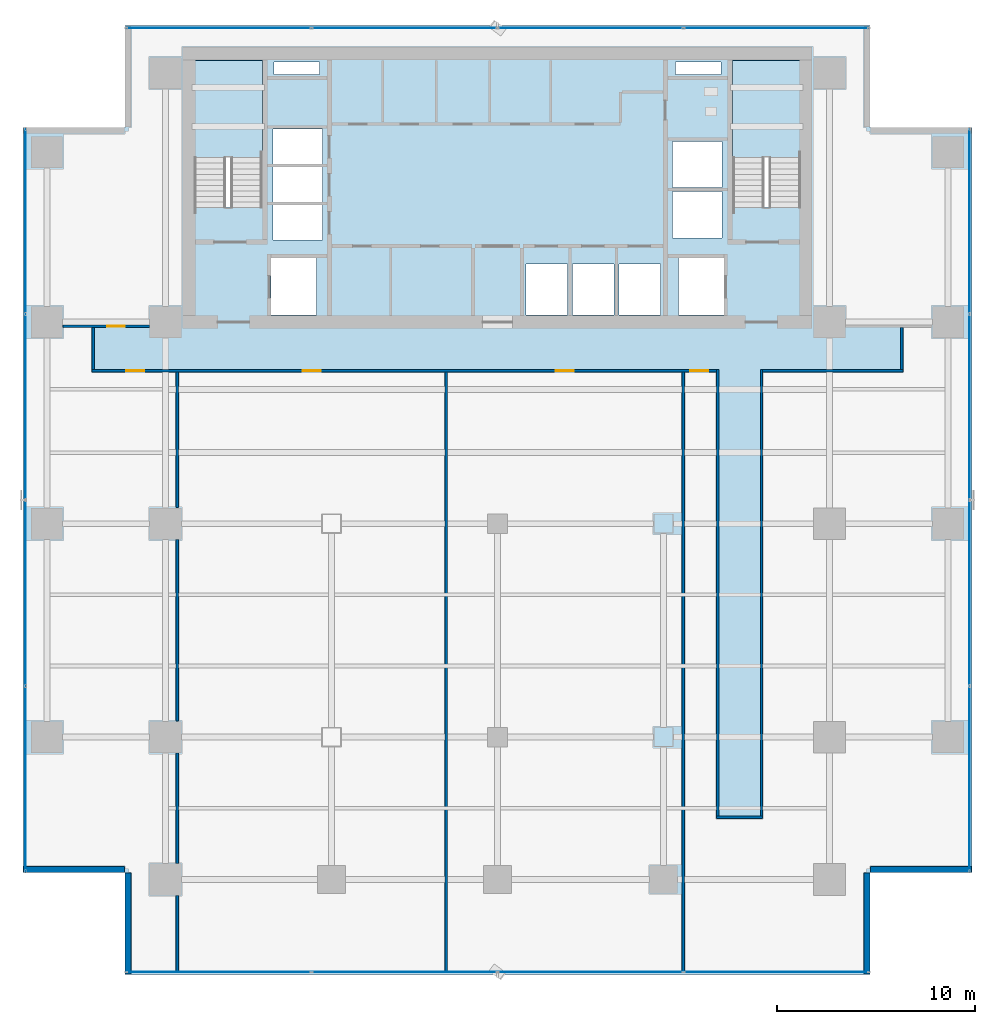
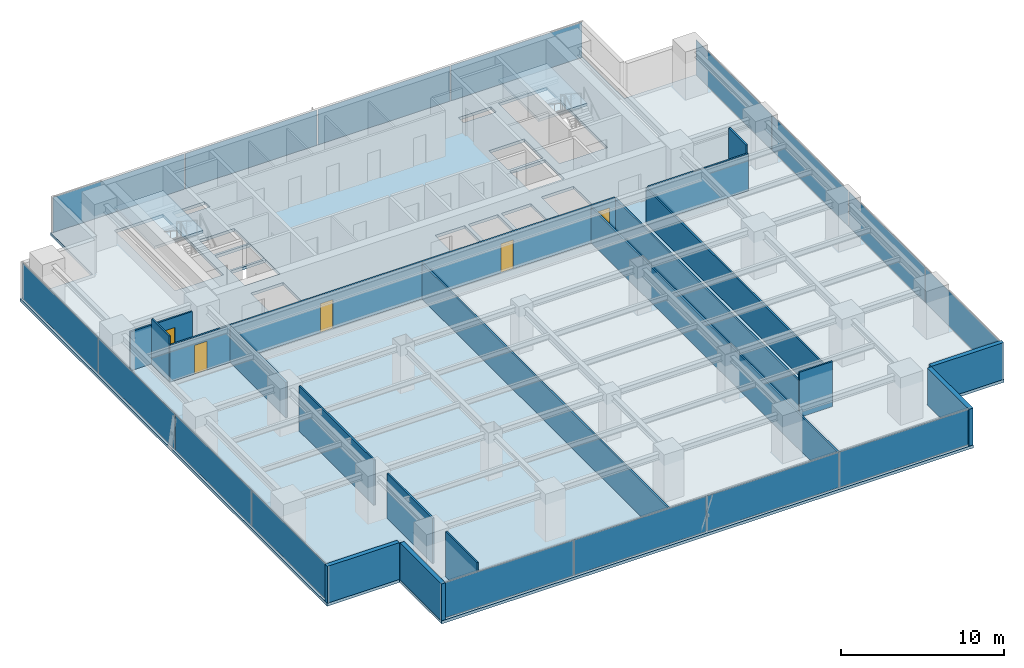
# One storey, part 20 of 27: 18 walls, 16 plates, 5 doors, 3 slabs, 5 openings, 6 elements without a shape of their own.
"""IFC4 building model written with IfcOpenShell, lengths in metres."""

from ifc_helpers import new_model, si_unit, direction, frame, frame_2d, origin, origin_2d, place, context, subcontext, project, spatial, polyline, rectangle, outline, extrude, source, transform, mapped, material, layer, layer_set, type_object, element, fill, aggregate, save


model = new_model("IFC4")

# Units and contexts
model_context = context("Model", 3, precision=1e-05, world=origin(), true_north=direction((0.0, 1.0)))
body_context = subcontext(model_context, "Body", "Model", "MODEL_VIEW")
ifc_project = project(units=[si_unit("LENGTHUNIT", "METRE"), si_unit("AREAUNIT", "SQUARE_METRE"), si_unit("VOLUMEUNIT", "CUBIC_METRE"), si_unit("PLANEANGLEUNIT", "RADIAN"), si_unit("MASSUNIT", "GRAM", prefix="KILO")], contexts=[model_context])

# Site, building, storey
site_placement = place(None, origin())
site = spatial("IfcSite", under=ifc_project, at=site_placement, CompositionType="ELEMENT")
building_placement = place(site_placement, origin())
building = spatial("IfcBuilding", under=site, at=building_placement, Name="Sumidabori Civic Tower", CompositionType="ELEMENT")
storey_placement = place(building_placement, frame((0.0, 0.0, 142.39990234375)))
storey = spatial("IfcBuildingStorey", under=building, at=storey_placement, Name="L36", CompositionType="ELEMENT", Elevation=142.39990234375)

# Stair, slab
ifc_material_1 = material(Name="Concrete C40/50", Category="concrete")
stair_type = type_object("IfcStairType", Name="ST-CORE-1600", PredefinedType="HALF_TURN_STAIR", material=ifc_material_1)
stair_1_placement = place(storey_placement, origin())
stair_1 = element("IfcStair", 1, at=stair_1_placement, inside=storey, type_object=stair_type, Name="L36 ST-1", PredefinedType="HALF_TURN_STAIR")
ifc_layer_1 = layer(ifc_material_1, 0.199951171875, Name="Concrete C40/50")
ifc_layer_set_1 = layer_set([ifc_layer_1], Name="Concrete C40/50")
slab_type_1 = type_object("IfcSlabType", Name="SL-LAND-200", PredefinedType="LANDING", material=ifc_layer_set_1)
slab_1_placement = place(storey_placement, frame((0.0, 0.0, 1.60009765625)))
slab_1 = element("IfcSlab", 2, at=slab_1_placement, type_object=slab_type_1, Name="ST-1 landing 1", PredefinedType="LANDING", context=body_context, shape_type="SweptSolid", body=[
    extrude(outline(polyline([(-11.89990234375, 18.52001953125), (-11.89990234375, 23.449951171875), (-15.340087890625, 23.449951171875), (-15.340087890625, 18.52001953125), (-11.89990234375, 18.52001953125)])), origin(), (0.0, 0.0, 1.0), 0.199951171875),
])
aggregate(stair_1, [slab_1])

stair_2_placement = place(storey_placement, origin())
stair_2 = element("IfcStair", 3, at=stair_2_placement, inside=storey, type_object=stair_type, Name="L36 ST-2", PredefinedType="HALF_TURN_STAIR")
slab_2_placement = place(storey_placement, frame((0.0, 0.0, 1.60009765625)))
slab_2 = element("IfcSlab", 4, at=slab_2_placement, type_object=slab_type_1, Name="ST-2 landing 1", PredefinedType="LANDING", context=body_context, shape_type="SweptSolid", body=[
    extrude(outline(polyline([(15.340087890625, 18.52001953125), (15.340087890625, 23.449951171875), (11.89990234375, 23.449951171875), (11.89990234375, 18.52001953125), (15.340087890625, 18.52001953125)])), origin(), (0.0, 0.0, 1.0), 0.199951171875),
])
aggregate(stair_2, [slab_2])

# Slab
ifc_layer_2 = layer(ifc_material_1, 0.219970703125, Name="Concrete C40/50")
ifc_layer_set_2 = layer_set([ifc_layer_2], Name="Concrete C40/50")
slab_type_2 = type_object("IfcSlabType", Name="SL-Z3-220", PredefinedType="FLOOR", material=ifc_layer_set_2)
slab_3_placement = place(storey_placement, frame((0.0, 0.0, -0.219970703125)))
element("IfcSlab", 5, at=slab_3_placement, inside=storey, type_object=slab_type_2, Name="Structural Slab L36", PredefinedType="FLOOR", context=body_context, shape_type="SweptSolid", body=[
    extrude(outline(polyline([(-18.85009765625, -22.800048828125), (18.85009765625, -22.800048828125), (18.85009765625, -17.64990234375), (24.0, -17.64990234375), (24.0, 20.050048828125), (18.85009765625, 20.050048828125), (18.85009765625, 25.199951171875), (-18.85009765625, 25.199951171875), (-18.85009765625, 20.050048828125), (-24.0, 20.050048828125), (-24.0, -17.64990234375), (-18.85009765625, -17.64990234375), (-18.85009765625, -22.800048828125)]), holes=[polyline([(-11.89990234375, 16.0), (-11.89990234375, 23.449951171875), (-15.340087890625, 23.449951171875), (-15.340087890625, 16.0), (-11.89990234375, 16.0)]), polyline([(15.340087890625, 16.0), (15.340087890625, 23.449951171875), (11.89990234375, 23.449951171875), (11.89990234375, 16.0), (15.340087890625, 16.0)]), polyline([(-11.449951171875, 10.550048828125), (-9.14990234375, 10.550048828125), (-9.14990234375, 13.449951171875), (-11.449951171875, 13.449951171875), (-11.449951171875, 10.550048828125)]), polyline([(9.14990234375, 10.550048828125), (11.449951171875, 10.550048828125), (11.449951171875, 13.449951171875), (9.14990234375, 13.449951171875), (9.14990234375, 10.550048828125)]), polyline([(1.449951171875, 10.550048828125), (3.550048828125, 10.550048828125), (3.550048828125, 13.14990234375), (1.449951171875, 13.14990234375), (1.449951171875, 10.550048828125)]), polyline([(3.800048828125, 10.550048828125), (5.89990234375, 10.550048828125), (5.89990234375, 13.14990234375), (3.800048828125, 13.14990234375), (3.800048828125, 10.550048828125)]), polyline([(6.14990234375, 10.550048828125), (8.25, 10.550048828125), (8.25, 13.14990234375), (6.14990234375, 13.14990234375), (6.14990234375, 10.550048828125)]), polyline([(-11.35009765625, 14.35009765625), (-8.85009765625, 14.35009765625), (-8.85009765625, 16.1201171875), (-11.35009765625, 16.1201171875), (-11.35009765625, 14.35009765625)]), polyline([(-11.35009765625, 16.27001953125), (-8.85009765625, 16.27001953125), (-8.85009765625, 18.0400390625), (-11.35009765625, 18.0400390625), (-11.35009765625, 16.27001953125)]), polyline([(-11.35009765625, 18.18994140625), (-8.85009765625, 18.18994140625), (-8.85009765625, 19.9599609375), (-11.35009765625, 19.9599609375), (-11.35009765625, 18.18994140625)]), polyline([(8.85009765625, 14.449951171875), (11.35009765625, 14.449951171875), (11.35009765625, 16.800048828125), (8.85009765625, 16.800048828125), (8.85009765625, 14.449951171875)]), polyline([(8.85009765625, 17.0), (11.35009765625, 17.0), (11.35009765625, 19.35009765625), (8.85009765625, 19.35009765625), (8.85009765625, 17.0)]), polyline([(-11.300048828125, 22.719970703125), (-9.0, 22.719970703125), (-9.0, 23.35009765625), (-11.300048828125, 23.35009765625), (-11.300048828125, 22.719970703125)]), polyline([(9.0, 22.719970703125), (11.300048828125, 22.719970703125), (11.300048828125, 23.35009765625), (9.0, 23.35009765625), (9.0, 22.719970703125)])]), origin(), (0.0, 0.0, 1.0), 0.219970703125),
])

# Curtain wall, plates
ifc_material_2 = material(Name="Anodised Bronze Aluminium AW-6063-T6", Category="aluminium")
ifc_layer_3 = layer(ifc_material_2, 0.179931640625, Name="Anodised Bronze Aluminium AW-6063-T6")
ifc_layer_set_3 = layer_set([ifc_layer_3], Name="Anodised Bronze Aluminium AW-6063-T6")
curtain_wall_type = type_object("IfcCurtainWallType", Name="CW-SYS-3", PredefinedType="NOTDEFINED", material=ifc_layer_set_3)
curtain_wall_1_placement = place(storey_placement, origin())
curtain_wall_1 = element("IfcCurtainWall", 6, at=curtain_wall_1_placement, inside=storey, type_object=curtain_wall_type, Name="Curtain Wall CW:L36:R01", PredefinedType="NOTDEFINED")
ifc_material_3 = material(Name="Low-E Solar-Control Vision Glazing", Category="glass")
ifc_layer_4 = layer(ifc_material_3, 0.028076171875, Name="Low-E Solar-Control Vision Glazing")
ifc_layer_set_4 = layer_set([ifc_layer_4], Name="Low-E Solar-Control Vision Glazing")
plate_type = type_object("IfcPlateType", Name="CW-PNL-28", PredefinedType="CURTAIN_PANEL", material=ifc_layer_set_4)
shared_shape_1 = source(origin(), body_context, "Body", "SweptSolid", [
    extrude(rectangle(XDim=9.3125, YDim=0.028076171875, at=origin_2d()), origin(), (0.0, 0.0, 1.0), 2.639892578125),
])
plate_1_placement = place(storey_placement, frame((-14.0986328125, -22.679931640625, 0.06005859375), z_axis=(0.0, 0.0, 1.0), x_axis=(1.0, 0.0, 0.0)))
plate_1 = element("IfcPlate", 7, at=plate_1_placement, type_object=plate_type, Name="CW-3 panel 1.1", PredefinedType="CURTAIN_PANEL", context=body_context, shape_type="MappedRepresentation", body=[
    mapped(shared_shape_1, transform((0.0, 0.0, 0.0), x_axis=(1.0, 0.0, 0.0), y_axis=(0.0, 1.0, 0.0), z_axis=(0.0, 0.0, 1.0), scale=1.0)),
])
plate_2_placement = place(storey_placement, frame((14.0986328125, -22.679931640625, 0.06005859375), z_axis=(0.0, 0.0, 1.0), x_axis=(1.0, 0.0, 0.0)))
plate_2 = element("IfcPlate", 8, at=plate_2_placement, type_object=plate_type, Name="CW-3 panel 4.1", PredefinedType="CURTAIN_PANEL", context=body_context, shape_type="MappedRepresentation", body=[
    mapped(shared_shape_1, transform((0.0, 0.0, 0.0), x_axis=(1.0, 0.0, 0.0), y_axis=(0.0, 1.0, 0.0), z_axis=(0.0, 0.0, 1.0), scale=1.0)),
])

curtain_wall_2_placement = place(storey_placement, origin())
curtain_wall_2 = element("IfcCurtainWall", 9, at=curtain_wall_2_placement, inside=storey, type_object=curtain_wall_type, Name="Curtain Wall CW:L36:R04", PredefinedType="NOTDEFINED")
plate_3_placement = place(storey_placement, frame((23.8798828125, -12.898681640625, 0.06005859375), z_axis=(0.0, 0.0, 1.0), x_axis=(0.0, 1.0, 0.0)))
plate_3 = element("IfcPlate", 10, at=plate_3_placement, type_object=plate_type, Name="CW-3 panel 1.1", PredefinedType="CURTAIN_PANEL", context=body_context, shape_type="MappedRepresentation", body=[
    mapped(shared_shape_1, transform((0.0, 0.0, 0.0), x_axis=(1.0, 0.0, 0.0), y_axis=(0.0, 1.0, 0.0), z_axis=(0.0, 0.0, 1.0), scale=1.0)),
])
plate_4_placement = place(storey_placement, frame((23.8798828125, 15.298828125, 0.06005859375), z_axis=(0.0, 0.0, 1.0), x_axis=(0.0, 1.0, 0.0)))
plate_4 = element("IfcPlate", 11, at=plate_4_placement, type_object=plate_type, Name="CW-3 panel 4.1", PredefinedType="CURTAIN_PANEL", context=body_context, shape_type="MappedRepresentation", body=[
    mapped(shared_shape_1, transform((0.0, 0.0, 0.0), x_axis=(1.0, 0.0, 0.0), y_axis=(0.0, 1.0, 0.0), z_axis=(0.0, 0.0, 1.0), scale=1.0)),
])

curtain_wall_3_placement = place(storey_placement, origin())
curtain_wall_3 = element("IfcCurtainWall", 12, at=curtain_wall_3_placement, inside=storey, type_object=curtain_wall_type, Name="Curtain Wall CW:L36:R07", PredefinedType="NOTDEFINED")
plate_5_placement = place(storey_placement, frame((14.0986328125, 25.080078125, 0.06005859375), z_axis=(0.0, 0.0, 1.0), x_axis=(-1.0, 0.0, 0.0)))
plate_5 = element("IfcPlate", 13, at=plate_5_placement, type_object=plate_type, Name="CW-3 panel 1.1", PredefinedType="CURTAIN_PANEL", context=body_context, shape_type="MappedRepresentation", body=[
    mapped(shared_shape_1, transform((0.0, 0.0, 0.0), x_axis=(1.0, 0.0, 0.0), y_axis=(0.0, 1.0, 0.0), z_axis=(0.0, 0.0, 1.0), scale=1.0)),
])
plate_6_placement = place(storey_placement, frame((-14.0986328125, 25.080078125, 0.06005859375), z_axis=(0.0, 0.0, 1.0), x_axis=(-1.0, 0.0, 0.0)))
plate_6 = element("IfcPlate", 14, at=plate_6_placement, type_object=plate_type, Name="CW-3 panel 4.1", PredefinedType="CURTAIN_PANEL", context=body_context, shape_type="MappedRepresentation", body=[
    mapped(shared_shape_1, transform((0.0, 0.0, 0.0), x_axis=(1.0, 0.0, 0.0), y_axis=(0.0, 1.0, 0.0), z_axis=(0.0, 0.0, 1.0), scale=1.0)),
])

curtain_wall_4_placement = place(storey_placement, origin())
curtain_wall_4 = element("IfcCurtainWall", 15, at=curtain_wall_4_placement, inside=storey, type_object=curtain_wall_type, Name="Curtain Wall CW:L36:R10", PredefinedType="NOTDEFINED")
plate_7_placement = place(storey_placement, frame((-23.8798828125, 15.298828125, 0.06005859375), z_axis=(0.0, 0.0, 1.0), x_axis=(0.0, -1.0, 0.0)))
plate_7 = element("IfcPlate", 16, at=plate_7_placement, type_object=plate_type, Name="CW-3 panel 1.1", PredefinedType="CURTAIN_PANEL", context=body_context, shape_type="MappedRepresentation", body=[
    mapped(shared_shape_1, transform((0.0, 0.0, 0.0), x_axis=(1.0, 0.0, 0.0), y_axis=(0.0, 1.0, 0.0), z_axis=(0.0, 0.0, 1.0), scale=1.0)),
])
plate_8_placement = place(storey_placement, frame((-23.8798828125, -12.898681640625, 0.06005859375), z_axis=(0.0, 0.0, 1.0), x_axis=(0.0, -1.0, 0.0)))
plate_8 = element("IfcPlate", 17, at=plate_8_placement, type_object=plate_type, Name="CW-3 panel 4.1", PredefinedType="CURTAIN_PANEL", context=body_context, shape_type="MappedRepresentation", body=[
    mapped(shared_shape_1, transform((0.0, 0.0, 0.0), x_axis=(1.0, 0.0, 0.0), y_axis=(0.0, 1.0, 0.0), z_axis=(0.0, 0.0, 1.0), scale=1.0)),
])

# Plate
shared_shape_2 = source(origin(), body_context, "Body", "SweptSolid", [
    extrude(rectangle(XDim=9.344970703125, YDim=0.028076171875, at=origin_2d()), origin(), (0.0, 0.0, 1.0), 2.639892578125),
])
plate_9_placement = place(storey_placement, frame((-4.705078125, -22.679931640625, 0.06005859375), z_axis=(0.0, 0.0, 1.0), x_axis=(1.0, 0.0, 0.0)))
plate_9 = element("IfcPlate", 18, at=plate_9_placement, type_object=plate_type, Name="CW-3 panel 2.1", PredefinedType="CURTAIN_PANEL", context=body_context, shape_type="MappedRepresentation", body=[
    mapped(shared_shape_2, transform((0.0, 0.0, 0.0), x_axis=(1.0, 0.0, 0.0), y_axis=(0.0, 1.0, 0.0), z_axis=(0.0, 0.0, 1.0), scale=1.0)),
])

plate_10_placement = place(storey_placement, frame((4.705078125, -22.679931640625, 0.06005859375), z_axis=(0.0, 0.0, 1.0), x_axis=(1.0, 0.0, 0.0)))
plate_10 = element("IfcPlate", 19, at=plate_10_placement, type_object=plate_type, Name="CW-3 panel 3.1", PredefinedType="CURTAIN_PANEL", context=body_context, shape_type="MappedRepresentation", body=[
    mapped(shared_shape_2, transform((0.0, 0.0, 0.0), x_axis=(1.0, 0.0, 0.0), y_axis=(0.0, 1.0, 0.0), z_axis=(0.0, 0.0, 1.0), scale=1.0)),
])

aggregate(curtain_wall_1, [plate_1, plate_9, plate_10, plate_2])

plate_11_placement = place(storey_placement, frame((23.8798828125, -3.5048828125, 0.06005859375), z_axis=(0.0, 0.0, 1.0), x_axis=(0.0, 1.0, 0.0)))
plate_11 = element("IfcPlate", 20, at=plate_11_placement, type_object=plate_type, Name="CW-3 panel 2.1", PredefinedType="CURTAIN_PANEL", context=body_context, shape_type="MappedRepresentation", body=[
    mapped(shared_shape_2, transform((0.0, 0.0, 0.0), x_axis=(1.0, 0.0, 0.0), y_axis=(0.0, 1.0, 0.0), z_axis=(0.0, 0.0, 1.0), scale=1.0)),
])

plate_12_placement = place(storey_placement, frame((23.8798828125, 5.905029296875, 0.06005859375), z_axis=(0.0, 0.0, 1.0), x_axis=(0.0, 1.0, 0.0)))
plate_12 = element("IfcPlate", 21, at=plate_12_placement, type_object=plate_type, Name="CW-3 panel 3.1", PredefinedType="CURTAIN_PANEL", context=body_context, shape_type="MappedRepresentation", body=[
    mapped(shared_shape_2, transform((0.0, 0.0, 0.0), x_axis=(1.0, 0.0, 0.0), y_axis=(0.0, 1.0, 0.0), z_axis=(0.0, 0.0, 1.0), scale=1.0)),
])

aggregate(curtain_wall_2, [plate_3, plate_11, plate_12, plate_4])

plate_13_placement = place(storey_placement, frame((4.705078125, 25.080078125, 0.06005859375), z_axis=(0.0, 0.0, 1.0), x_axis=(-1.0, 0.0, 0.0)))
plate_13 = element("IfcPlate", 22, at=plate_13_placement, type_object=plate_type, Name="CW-3 panel 2.1", PredefinedType="CURTAIN_PANEL", context=body_context, shape_type="MappedRepresentation", body=[
    mapped(shared_shape_2, transform((0.0, 0.0, 0.0), x_axis=(1.0, 0.0, 0.0), y_axis=(0.0, 1.0, 0.0), z_axis=(0.0, 0.0, 1.0), scale=1.0)),
])

plate_14_placement = place(storey_placement, frame((-4.705078125, 25.080078125, 0.06005859375), z_axis=(0.0, 0.0, 1.0), x_axis=(-1.0, 0.0, 0.0)))
plate_14 = element("IfcPlate", 23, at=plate_14_placement, type_object=plate_type, Name="CW-3 panel 3.1", PredefinedType="CURTAIN_PANEL", context=body_context, shape_type="MappedRepresentation", body=[
    mapped(shared_shape_2, transform((0.0, 0.0, 0.0), x_axis=(1.0, 0.0, 0.0), y_axis=(0.0, 1.0, 0.0), z_axis=(0.0, 0.0, 1.0), scale=1.0)),
])

aggregate(curtain_wall_3, [plate_5, plate_13, plate_14, plate_6])

plate_15_placement = place(storey_placement, frame((-23.8798828125, 5.905029296875, 0.06005859375), z_axis=(0.0, 0.0, 1.0), x_axis=(0.0, -1.0, 0.0)))
plate_15 = element("IfcPlate", 24, at=plate_15_placement, type_object=plate_type, Name="CW-3 panel 2.1", PredefinedType="CURTAIN_PANEL", context=body_context, shape_type="MappedRepresentation", body=[
    mapped(shared_shape_2, transform((0.0, 0.0, 0.0), x_axis=(1.0, 0.0, 0.0), y_axis=(0.0, 1.0, 0.0), z_axis=(0.0, 0.0, 1.0), scale=1.0)),
])

plate_16_placement = place(storey_placement, frame((-23.8798828125, -3.5048828125, 0.06005859375), z_axis=(0.0, 0.0, 1.0), x_axis=(0.0, -1.0, 0.0)))
plate_16 = element("IfcPlate", 25, at=plate_16_placement, type_object=plate_type, Name="CW-3 panel 3.1", PredefinedType="CURTAIN_PANEL", context=body_context, shape_type="MappedRepresentation", body=[
    mapped(shared_shape_2, transform((0.0, 0.0, 0.0), x_axis=(1.0, 0.0, 0.0), y_axis=(0.0, 1.0, 0.0), z_axis=(0.0, 0.0, 1.0), scale=1.0)),
])

aggregate(curtain_wall_4, [plate_7, plate_15, plate_16, plate_8])

# Walls
ifc_material_4 = material(Name="Precast concrete C40/50", Category="concrete")
ifc_layer_5 = layer(ifc_material_4, 0.300048828125, Name="Precast concrete C40/50")
ifc_layer_set_5 = layer_set([ifc_layer_5], Name="Precast concrete C40/50")
wall_type_1 = type_object("IfcWallType", Name="WL-EXT-POD300", PredefinedType="STANDARD", material=ifc_layer_set_5)
shared_shape_3 = source(origin(), body_context, "Body", "SweptSolid", [
    extrude(rectangle(XDim=5.110107421875, YDim=0.300048828125, at=frame_2d((2.55517578125, 0.0))), origin(), (0.0, 0.0, 1.0), 2.760009765625),
])
for number, where, z_axis, x_axis, name in (
    (26, (18.699951171875, -22.780029296875, 0.0), (0.0, 0.0, 1.0), (0.0, 1.0, 0.0), "Notched Corner Spandrel Band L36-02"),
    (27, (-18.699951171875, -17.669921875, 0.0), (0.0, 0.0, 1.0), (0.0, -1.0, 0.0), "Notched Corner Spandrel Band L36-12"),
):
    element("IfcWall", number, at=place(storey_placement, frame(where, z_axis=z_axis, x_axis=x_axis)), inside=storey, type_object=wall_type_1, Name=name, PredefinedType="STANDARD", context=body_context, shape_type="MappedRepresentation", body=[
        mapped(shared_shape_3, transform((0.0, 0.0, 0.0), x_axis=(1.0, 0.0, 0.0), y_axis=(0.0, 1.0, 0.0), z_axis=(0.0, 0.0, 1.0), scale=1.0)),
    ])
shared_shape_4 = source(origin(), body_context, "Body", "SweptSolid", [
    extrude(rectangle(XDim=5.10986328125, YDim=0.300048828125, at=frame_2d((2.554931640625, 0.0))), origin(), (0.0, 0.0, 1.0), 2.760009765625),
])
for number, where, z_axis, x_axis, name in (
    (28, (18.8701171875, -17.5, 0.0), (0.0, 0.0, 1.0), (1.0, 0.0, 0.0), "Notched Corner Spandrel Band L36-03"),
    (29, (-23.97998046875, -17.5, 0.0), (0.0, 0.0, 1.0), (1.0, 0.0, 0.0), "Notched Corner Spandrel Band L36-11"),
):
    element("IfcWall", number, at=place(storey_placement, frame(where, z_axis=z_axis, x_axis=x_axis)), inside=storey, type_object=wall_type_1, Name=name, PredefinedType="STANDARD", context=body_context, shape_type="MappedRepresentation", body=[
        mapped(shared_shape_4, transform((0.0, 0.0, 0.0), x_axis=(1.0, 0.0, 0.0), y_axis=(0.0, 1.0, 0.0), z_axis=(0.0, 0.0, 1.0), scale=1.0)),
    ])

# Wall, opening, door
ifc_material_5 = material(Name="Gypsum Plasterboard Acoustic Partition")
ifc_layer_6 = layer(ifc_material_5, 0.1201171875, Name="Gypsum Plasterboard Acoustic Partition")
ifc_layer_set_6 = layer_set([ifc_layer_6], Name="Gypsum Plasterboard Acoustic Partition")
wall_type_2 = type_object("IfcWallType", Name="WL-PART-120", PredefinedType="PARTITIONING", material=ifc_layer_set_6)
shared_shape_5 = source(origin(), body_context, "Body", "SweptSolid", [
    extrude(rectangle(XDim=4.3798828125, YDim=0.1201171875, at=frame_2d((2.18994140625, 0.0))), origin(), (0.0, 0.0, 1.0), 2.9150390625),
])
wall_1_placement = place(storey_placement, frame((-21.989990234375, 10.0, 0.0), z_axis=(0.0, 0.0, 1.0), x_axis=(1.0, 0.0, 0.0)))
wall_1 = element("IfcWall", 30, at=wall_1_placement, inside=storey, type_object=wall_type_2, Name="Interior Partition WL:L36:FLK-NW", PredefinedType="PARTITIONING", context=body_context, shape_type="MappedRepresentation", body=[
    mapped(shared_shape_5, transform((0.0, 0.0, 0.0), x_axis=(1.0, 0.0, 0.0), y_axis=(0.0, 1.0, 0.0), z_axis=(0.0, 0.0, 1.0), scale=1.0)),
])
opening_1_placement = place(wall_1_placement, frame((2.235107421875, 0.0, 0.0)))
opening_1 = element("IfcOpeningElement", 31, at=opening_1_placement, cuts=wall_1, Name="Opening DR-1", PredefinedType="OPENING", context=body_context, shape_type="SweptSolid", body=[
    extrude(rectangle(XDim=0.89990234375, YDim=2.14990234375, at=frame_2d((0.449951171875, 1.074951171875))), frame((0.0, 0.072021484375, 0.0), z_axis=(0.0, -1.0, 0.0), x_axis=(1.0, 0.0, 0.0)), (0.0, 0.0, 1.0), 0.14404296875),
])
ifc_material_6 = material(Name="Japanese Hinoki Timber", Category="wood")
door_type = type_object("IfcDoorType", Name="DR-INT-900", OperationType="NOTDEFINED", PredefinedType="DOOR", material=ifc_material_6)
shared_shape_6 = source(origin(), body_context, "Body", "SweptSolid", [
    extrude(rectangle(XDim=0.89990234375, YDim=2.14990234375, at=frame_2d((0.449951171875, 1.074951171875))), frame((0.0, 0.02490234375, 0.0), z_axis=(0.0, -1.0, 0.0), x_axis=(1.0, 0.0, 0.0)), (0.0, 0.0, 1.0), 0.050048828125),
])
door_1_placement = place(opening_1_placement, origin())
door_1 = element("IfcDoor", 32, at=door_1_placement, inside=storey, type_object=door_type, Name="Door DR:L36:FLK-NW", OperationType="SINGLE_SWING_LEFT", OverallHeight=2.14990234375, OverallWidth=0.89990234375, PredefinedType="DOOR", context=body_context, shape_type="MappedRepresentation", body=[
    mapped(shared_shape_6, transform((0.0, 0.0, 0.0), x_axis=(1.0, 0.0, 0.0), y_axis=(0.0, 1.0, 0.0), z_axis=(0.0, 0.0, 1.0), scale=1.0)),
])
fill(opening_1, door_1)

# Wall, openings, doors
shared_shape_7 = source(origin(), body_context, "Body", "SweptSolid", [
    extrude(rectangle(XDim=31.60009765625, YDim=0.1201171875, at=frame_2d((15.800048828125, 0.0))), origin(), (0.0, 0.0, 1.0), 2.76513671875),
])
wall_2_placement = place(storey_placement, frame((-20.52001953125, 7.739990234375, 0.0), z_axis=(0.0, 0.0, 1.0), x_axis=(1.0, 0.0, 0.0)))
wall_2 = element("IfcWall", 33, at=wall_2_placement, inside=storey, type_object=wall_type_2, Name="Interior Partition WL:L36:CORR-SW", PredefinedType="PARTITIONING", context=body_context, shape_type="MappedRepresentation", body=[
    mapped(shared_shape_7, transform((0.0, 0.0, 0.0), x_axis=(1.0, 0.0, 0.0), y_axis=(0.0, 1.0, 0.0), z_axis=(0.0, 0.0, 1.0), scale=1.0)),
])
opening_2_placement = place(wall_2_placement, frame((1.739990234375, 0.0, 0.0)))
opening_2 = element("IfcOpeningElement", 34, at=opening_2_placement, cuts=wall_2, Name="Opening DR-1", PredefinedType="OPENING", context=body_context, shape_type="SweptSolid", body=[
    extrude(rectangle(XDim=0.89990234375, YDim=2.14990234375, at=frame_2d((0.449951171875, 1.074951171875))), frame((0.0, 0.072021484375, 0.0), z_axis=(0.0, -1.0, 0.0), x_axis=(1.0, 0.0, 0.0)), (0.0, 0.0, 1.0), 0.14404296875),
])
opening_3_placement = place(wall_2_placement, frame((30.280029296875, 0.0, 0.0)))
opening_3 = element("IfcOpeningElement", 35, at=opening_3_placement, cuts=wall_2, Name="Opening DR-1", PredefinedType="OPENING", context=body_context, shape_type="SweptSolid", body=[
    extrude(rectangle(XDim=0.89990234375, YDim=2.14990234375, at=frame_2d((0.449951171875, 1.074951171875))), frame((0.0, 0.072021484375, 0.0), z_axis=(0.0, -1.0, 0.0), x_axis=(1.0, 0.0, 0.0)), (0.0, 0.0, 1.0), 0.14404296875),
])
opening_4_placement = place(wall_2_placement, frame((10.669921875, 0.0, 0.0)))
opening_4 = element("IfcOpeningElement", 36, at=opening_4_placement, cuts=wall_2, Name="Opening DR-1", PredefinedType="OPENING", context=body_context, shape_type="SweptSolid", body=[
    extrude(rectangle(XDim=0.89990234375, YDim=2.14990234375, at=frame_2d((0.449951171875, 1.074951171875))), frame((0.0, 0.072021484375, 0.0), z_axis=(0.0, -1.0, 0.0), x_axis=(1.0, 0.0, 0.0)), (0.0, 0.0, 1.0), 0.14404296875),
])
opening_5_placement = place(wall_2_placement, frame((23.469970703125, 0.0, 0.0)))
opening_5 = element("IfcOpeningElement", 37, at=opening_5_placement, cuts=wall_2, Name="Opening DR-1", PredefinedType="OPENING", context=body_context, shape_type="SweptSolid", body=[
    extrude(rectangle(XDim=0.89990234375, YDim=2.14990234375, at=frame_2d((0.449951171875, 1.074951171875))), frame((0.0, 0.072021484375, 0.0), z_axis=(0.0, -1.0, 0.0), x_axis=(1.0, 0.0, 0.0)), (0.0, 0.0, 1.0), 0.14404296875),
])
door_2_placement = place(opening_2_placement, origin())
door_2 = element("IfcDoor", 38, at=door_2_placement, inside=storey, type_object=door_type, Name="Door DR:L36:D02", OperationType="SINGLE_SWING_RIGHT", OverallHeight=2.14990234375, OverallWidth=0.89990234375, PredefinedType="DOOR", context=body_context, shape_type="MappedRepresentation", body=[
    mapped(shared_shape_6, transform((0.0, 0.0, 0.0), x_axis=(1.0, 0.0, 0.0), y_axis=(0.0, 1.0, 0.0), z_axis=(0.0, 0.0, 1.0), scale=1.0)),
])
fill(opening_2, door_2)
door_3_placement = place(opening_3_placement, origin())
door_3 = element("IfcDoor", 39, at=door_3_placement, inside=storey, type_object=door_type, Name="Door DR:L36:D03", OperationType="SINGLE_SWING_LEFT", OverallHeight=2.14990234375, OverallWidth=0.89990234375, PredefinedType="DOOR", context=body_context, shape_type="MappedRepresentation", body=[
    mapped(shared_shape_6, transform((0.0, 0.0, 0.0), x_axis=(1.0, 0.0, 0.0), y_axis=(0.0, 1.0, 0.0), z_axis=(0.0, 0.0, 1.0), scale=1.0)),
])
fill(opening_3, door_3)
door_4_placement = place(opening_4_placement, origin())
door_4 = element("IfcDoor", 40, at=door_4_placement, inside=storey, type_object=door_type, Name="Door DR:L36:D04", OperationType="SINGLE_SWING_RIGHT", OverallHeight=2.14990234375, OverallWidth=0.89990234375, PredefinedType="DOOR", context=body_context, shape_type="MappedRepresentation", body=[
    mapped(shared_shape_6, transform((0.0, 0.0, 0.0), x_axis=(1.0, 0.0, 0.0), y_axis=(0.0, 1.0, 0.0), z_axis=(0.0, 0.0, 1.0), scale=1.0)),
])
fill(opening_4, door_4)
door_5_placement = place(opening_5_placement, origin())
door_5 = element("IfcDoor", 41, at=door_5_placement, inside=storey, type_object=door_type, Name="Door DR:L36:D05", OperationType="SINGLE_SWING_LEFT", OverallHeight=2.14990234375, OverallWidth=0.89990234375, PredefinedType="DOOR", context=body_context, shape_type="MappedRepresentation", body=[
    mapped(shared_shape_6, transform((0.0, 0.0, 0.0), x_axis=(1.0, 0.0, 0.0), y_axis=(0.0, 1.0, 0.0), z_axis=(0.0, 0.0, 1.0), scale=1.0)),
])
fill(opening_5, door_5)

# Walls
shared_shape_8 = source(origin(), body_context, "Body", "SweptSolid", [
    extrude(rectangle(XDim=7.10009765625, YDim=0.1201171875, at=frame_2d((3.550048828125, 0.0))), origin(), (0.0, 0.0, 1.0), 2.76513671875),
])
wall_3_placement = place(storey_placement, frame((13.419921875, 7.739990234375, 0.0), z_axis=(0.0, 0.0, 1.0), x_axis=(1.0, 0.0, 0.0)))
element("IfcWall", 42, at=wall_3_placement, inside=storey, type_object=wall_type_2, Name="Interior Partition WL:L36:CORR-SE", PredefinedType="PARTITIONING", context=body_context, shape_type="MappedRepresentation", body=[
    mapped(shared_shape_8, transform((0.0, 0.0, 0.0), x_axis=(1.0, 0.0, 0.0), y_axis=(0.0, 1.0, 0.0), z_axis=(0.0, 0.0, 1.0), scale=1.0)),
])
shared_shape_9 = source(origin(), body_context, "Body", "SweptSolid", [
    extrude(rectangle(XDim=2.33984375, YDim=0.1201171875, at=frame_2d((1.169921875, 0.0))), origin(), (0.0, 0.0, 1.0), 3.380126953125),
])
wall_4_placement = place(storey_placement, frame((11.080078125, -14.860107421875, 0.0), z_axis=(0.0, 0.0, 1.0), x_axis=(1.0, 0.0, 0.0)))
element("IfcWall", 43, at=wall_4_placement, inside=storey, type_object=wall_type_2, Name="Interior Partition WL:L36:CORR-CAP-E", PredefinedType="PARTITIONING", context=body_context, shape_type="MappedRepresentation", body=[
    mapped(shared_shape_9, transform((0.0, 0.0, 0.0), x_axis=(1.0, 0.0, 0.0), y_axis=(0.0, 1.0, 0.0), z_axis=(0.0, 0.0, 1.0), scale=1.0)),
])
shared_shape_10 = source(origin(), body_context, "Body", "SweptSolid", [
    extrude(rectangle(XDim=2.130126953125, YDim=0.1201171875, at=frame_2d((1.06494140625, 0.0))), origin(), (0.0, 0.0, 1.0), 3.380126953125),
])
for number, where, z_axis, x_axis, name in (
    (44, (-20.4599609375, 7.804931640625, 0.0), (0.0, 0.0, 1.0), (0.0, 1.0, 0.0), "Interior Partition WL:L36:CORR-VNW"),
    (45, (20.4599609375, 7.804931640625, 0.0), (0.0, 0.0, 1.0), (0.0, 1.0, 0.0), "Interior Partition WL:L36:CORR-VNE"),
):
    element("IfcWall", number, at=place(storey_placement, frame(where, z_axis=z_axis, x_axis=x_axis)), inside=storey, type_object=wall_type_2, Name=name, PredefinedType="PARTITIONING", context=body_context, shape_type="MappedRepresentation", body=[
        mapped(shared_shape_10, transform((0.0, 0.0, 0.0), x_axis=(1.0, 0.0, 0.0), y_axis=(0.0, 1.0, 0.0), z_axis=(0.0, 0.0, 1.0), scale=1.0)),
    ])
shared_shape_11 = source(origin(), body_context, "Body", "SweptSolid", [
    extrude(rectangle(XDim=22.594970703125, YDim=0.1201171875, at=frame_2d((11.29736328125, 0.0))), origin(), (0.0, 0.0, 1.0), 2.6650390625),
])
for number, where, z_axis, x_axis, name in (
    (46, (11.139892578125, -14.794921875, 0.0), (0.0, 0.0, 1.0), (0.0, 1.0, 0.0), "Interior Partition WL:L36:CORR-VL-W"),
    (47, (13.360107421875, -14.794921875, 0.0), (0.0, 0.0, 1.0), (0.0, 1.0, 0.0), "Interior Partition WL:L36:CORR-VL-E"),
):
    element("IfcWall", number, at=place(storey_placement, frame(where, z_axis=z_axis, x_axis=x_axis)), inside=storey, type_object=wall_type_2, Name=name, PredefinedType="PARTITIONING", context=body_context, shape_type="MappedRepresentation", body=[
        mapped(shared_shape_11, transform((0.0, 0.0, 0.0), x_axis=(1.0, 0.0, 0.0), y_axis=(0.0, 1.0, 0.0), z_axis=(0.0, 0.0, 1.0), scale=1.0)),
    ])
shared_shape_12 = source(origin(), body_context, "Body", "SweptSolid", [
    extrude(rectangle(XDim=3.83984375, YDim=0.1201171875, at=frame_2d((1.919921875, 0.0))), origin(), (0.0, 0.0, 1.0), 3.380126953125),
])
wall_5_placement = place(storey_placement, frame((-16.199951171875, -22.64990234375, 0.0), z_axis=(0.0, 0.0, 1.0), x_axis=(0.0, 1.0, 0.0)))
element("IfcWall", 48, at=wall_5_placement, inside=storey, type_object=wall_type_2, Name="Interior Partition WL:L36:VX-N1-1", PredefinedType="PARTITIONING", context=body_context, shape_type="MappedRepresentation", body=[
    mapped(shared_shape_12, transform((0.0, 0.0, 0.0), x_axis=(1.0, 0.0, 0.0), y_axis=(0.0, 1.0, 0.0), z_axis=(0.0, 0.0, 1.0), scale=1.0)),
])
shared_shape_13 = source(origin(), body_context, "Body", "SweptSolid", [
    extrude(rectangle(XDim=5.579833984375, YDim=0.1201171875, at=frame_2d((2.7900390625, 0.0))), origin(), (0.0, 0.0, 1.0), 3.380126953125),
])
wall_6_placement = place(storey_placement, frame((-16.199951171875, -17.18994140625, 0.0), z_axis=(0.0, 0.0, 1.0), x_axis=(0.0, 1.0, 0.0)))
element("IfcWall", 49, at=wall_6_placement, inside=storey, type_object=wall_type_2, Name="Interior Partition WL:L36:VX-N1-2", PredefinedType="PARTITIONING", context=body_context, shape_type="MappedRepresentation", body=[
    mapped(shared_shape_13, transform((0.0, 0.0, 0.0), x_axis=(1.0, 0.0, 0.0), y_axis=(0.0, 1.0, 0.0), z_axis=(0.0, 0.0, 1.0), scale=1.0)),
])
shared_shape_14 = source(origin(), body_context, "Body", "SweptSolid", [
    extrude(rectangle(XDim=9.179931640625, YDim=0.1201171875, at=frame_2d((4.58984375, 0.0))), origin(), (0.0, 0.0, 1.0), 3.380126953125),
])
wall_7_placement = place(storey_placement, frame((-16.199951171875, -9.989990234375, 0.0), z_axis=(0.0, 0.0, 1.0), x_axis=(0.0, 1.0, 0.0)))
element("IfcWall", 50, at=wall_7_placement, inside=storey, type_object=wall_type_2, Name="Interior Partition WL:L36:VX-N1-3", PredefinedType="PARTITIONING", context=body_context, shape_type="MappedRepresentation", body=[
    mapped(shared_shape_14, transform((0.0, 0.0, 0.0), x_axis=(1.0, 0.0, 0.0), y_axis=(0.0, 1.0, 0.0), z_axis=(0.0, 0.0, 1.0), scale=1.0)),
])
shared_shape_15 = source(origin(), body_context, "Body", "SweptSolid", [
    extrude(rectangle(XDim=6.864990234375, YDim=0.1201171875, at=frame_2d((3.4326171875, 0.0))), origin(), (0.0, 0.0, 1.0), 2.6650390625),
])
wall_8_placement = place(storey_placement, frame((-16.199951171875, 0.81005859375, 0.0), z_axis=(0.0, 0.0, 1.0), x_axis=(0.0, 1.0, 0.0)))
element("IfcWall", 51, at=wall_8_placement, inside=storey, type_object=wall_type_2, Name="Interior Partition WL:L36:VX-N1-4", PredefinedType="PARTITIONING", context=body_context, shape_type="MappedRepresentation", body=[
    mapped(shared_shape_15, transform((0.0, 0.0, 0.0), x_axis=(1.0, 0.0, 0.0), y_axis=(0.0, 1.0, 0.0), z_axis=(0.0, 0.0, 1.0), scale=1.0)),
])
shared_shape_16 = source(origin(), body_context, "Body", "SweptSolid", [
    extrude(rectangle(XDim=30.324951171875, YDim=0.1201171875, at=frame_2d((15.16259765625, 0.0))), origin(), (0.0, 0.0, 1.0), 2.6650390625),
])
for number, where, z_axis, x_axis, name in (
    (52, (-2.60009765625, -22.64990234375, 0.0), (0.0, 0.0, 1.0), (0.0, 1.0, 0.0), "Interior Partition WL:L36:VX-N2"),
    (53, (9.39990234375, -22.64990234375, 0.0), (0.0, 0.0, 1.0), (0.0, 1.0, 0.0), "Interior Partition WL:L36:VX-N3"),
):
    element("IfcWall", number, at=place(storey_placement, frame(where, z_axis=z_axis, x_axis=x_axis)), inside=storey, type_object=wall_type_2, Name=name, PredefinedType="PARTITIONING", context=body_context, shape_type="MappedRepresentation", body=[
        mapped(shared_shape_16, transform((0.0, 0.0, 0.0), x_axis=(1.0, 0.0, 0.0), y_axis=(0.0, 1.0, 0.0), z_axis=(0.0, 0.0, 1.0), scale=1.0)),
    ])

save(model, "model.ifc")
